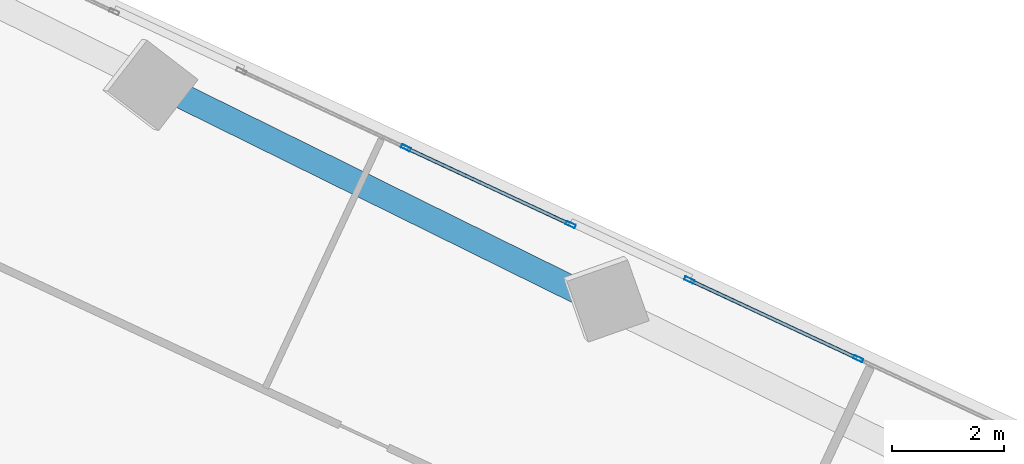
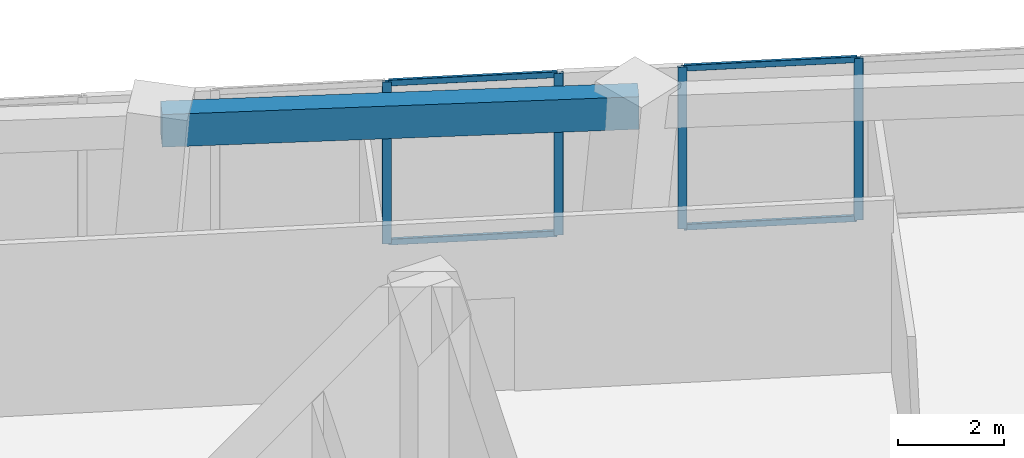
# One storey, part 15 of 23: 8 members, 1 beam, 2 elements without a shape of their own.
"""IFC4 building model written with IfcOpenShell, lengths in metres."""

from ifc_helpers import new_model, si_unit, direction, frame, origin, origin_2d, place, context, subcontext, project, spatial, rectangle, hollow_rectangle, extrude, source, transform, mapped, material, material_profile, profile_set, type_object, element, aggregate, save


model = new_model("IFC4")

# Units and contexts
model_context = context("Model", 3, precision=1e-05, world=origin(), true_north=direction((0.0, 1.0)))
body_context = subcontext(model_context, "Body", "Model", "MODEL_VIEW")
ifc_project = project(units=[si_unit("LENGTHUNIT", "METRE"), si_unit("AREAUNIT", "SQUARE_METRE"), si_unit("VOLUMEUNIT", "CUBIC_METRE"), si_unit("PLANEANGLEUNIT", "RADIAN"), si_unit("MASSUNIT", "GRAM", prefix="KILO")], contexts=[model_context])

# Site, building, storey
site_placement = place(None, origin())
site = spatial("IfcSite", under=ifc_project, at=site_placement, CompositionType="ELEMENT")
building_placement = place(site_placement, origin())
building = spatial("IfcBuilding", under=site, at=building_placement, Name="Torre Montelarca", CompositionType="ELEMENT")
storey_placement = place(building_placement, frame((0.0, 0.0, 158.199951171875)))
storey = spatial("IfcBuildingStorey", under=building, at=storey_placement, Name="L35", CompositionType="ELEMENT", Elevation=158.199951171875)

# Beam
ifc_material_1 = material(Name="Concrete C55/67", Category="concrete")
ifc_material_profile_1 = material_profile(ifc_material_1, rectangle(XDim=0.449951171875, YDim=0.75, at=origin_2d()), Name="RCB450X750", Category="concrete")
ifc_profile_set_1 = profile_set([ifc_material_profile_1], Name="Concrete C55/67")
beam_type = type_object("IfcBeamType", Name="BM-SP-RC750-EXT", PredefinedType="SPANDREL", material=ifc_profile_set_1)
shared_shape_1 = source(origin(), body_context, "Body", "SweptSolid", [
    extrude(rectangle(XDim=0.449951171875, YDim=0.75, at=origin_2d()), origin(), (0.0, 0.0, 1.0), 9.0),
])
beam_placement = place(storey_placement, frame((25.0615234375, 47.135498046875, 3.5849609375), z_axis=(0.896882073005, -0.442269767362, 0.0), x_axis=(0.442269767362, 0.896882073005, 0.0)))
element("IfcBeam", 1, at=beam_placement, inside=storey, type_object=beam_type, Name="L35 Grid Girder X 18.0-27.0 at Y=47.1", PredefinedType="SPANDREL", context=body_context, shape_type="MappedRepresentation", body=[
    mapped(shared_shape_1, transform((0.0, 0.0, 0.0), scale=1.0)),
])

# Curtain wall, members
ifc_material_2 = material(Name="Insulated low-E laminated glass", Category="glass")
curtain_wall_type = type_object("IfcCurtainWallType", Name="CW-SYS-Z2", PredefinedType="USERDEFINED", material=ifc_material_2)
curtain_wall_1_placement = place(storey_placement, origin())
curtain_wall_1 = element("IfcCurtainWall", 2, at=curtain_wall_1_placement, inside=storey, type_object=curtain_wall_type, Name="L35 Curtain Wall Run CW-T3-L35-E08-B2", ObjectType="UNITISED GLAZING", PredefinedType="USERDEFINED")
ifc_material_3 = material(Name="Anodised aluminium AA 6063-T6", Category="aluminium")
ifc_material_profile_2 = material_profile(ifc_material_3, hollow_rectangle(XDim=0.06494140625, YDim=0.179931640625, WallThickness=0.00390625, InnerFilletRadius=0.00390625, OuterFilletRadius=0.008056640625, at=origin_2d()), Name="ALU65X180X4", Category="aluminium")
ifc_profile_set_2 = profile_set([ifc_material_profile_2], Name="Anodised aluminium AA 6063-T6")
member_type_1 = type_object("IfcMemberType", Name="CWM-ALU180", PredefinedType="MULLION", material=ifc_profile_set_2)
shared_shape_2 = source(origin(), body_context, "Body", "SweptSolid", [
    extrude(hollow_rectangle(XDim=0.06494140625, YDim=0.179931640625, WallThickness=0.00390625, InnerFilletRadius=0.00390625, OuterFilletRadius=0.008056640625, at=origin_2d()), origin(), (0.0, 0.0, 1.0), 3.719970703125),
])
member_1_placement = place(storey_placement, frame((37.42919921875, 42.303466796875, 0.0), z_axis=(0.0, 0.0, 1.0), x_axis=(-0.422607871972, -0.906312631793, 0.0)))
member_1 = element("IfcMember", 3, at=member_1_placement, type_object=member_type_1, Name="CW mullion 2", PredefinedType="MULLION", context=body_context, shape_type="MappedRepresentation", body=[
    mapped(shared_shape_2, transform((0.0, 0.0, 0.0), scale=1.0)),
])
member_2_placement = place(storey_placement, frame((34.410888671875, 43.710693359375, 0.0), z_axis=(0.0, 0.0, 1.0), x_axis=(-0.422607871972, -0.906312631793, 0.0)))
member_2 = element("IfcMember", 4, at=member_2_placement, type_object=member_type_1, Name="CW mullion 3", PredefinedType="MULLION", context=body_context, shape_type="MappedRepresentation", body=[
    mapped(shared_shape_2, transform((0.0, 0.0, 0.0), scale=1.0)),
])

curtain_wall_2_placement = place(storey_placement, origin())
curtain_wall_2 = element("IfcCurtainWall", 5, at=curtain_wall_2_placement, inside=storey, type_object=curtain_wall_type, Name="L35 Curtain Wall Run CW-T3-L35-E08-B3", ObjectType="UNITISED GLAZING", PredefinedType="USERDEFINED")
member_3_placement = place(storey_placement, frame((32.29052734375, 44.699462890625, 0.0), z_axis=(0.0, 0.0, 1.0), x_axis=(-0.422615007869, -0.906309304335, 0.0)))
member_3 = element("IfcMember", 6, at=member_3_placement, type_object=member_type_1, Name="CW mullion 1", PredefinedType="MULLION", context=body_context, shape_type="MappedRepresentation", body=[
    mapped(shared_shape_2, transform((0.0, 0.0, 0.0), scale=1.0)),
])
member_4_placement = place(storey_placement, frame((29.347900390625, 46.07177734375, 0.0), z_axis=(0.0, 0.0, 1.0), x_axis=(-0.422615007869, -0.906309304335, 0.0)))
member_4 = element("IfcMember", 7, at=member_4_placement, type_object=member_type_1, Name="CW mullion 2", PredefinedType="MULLION", context=body_context, shape_type="MappedRepresentation", body=[
    mapped(shared_shape_2, transform((0.0, 0.0, 0.0), scale=1.0)),
])

# Member
ifc_material_profile_3 = material_profile(ifc_material_3, hollow_rectangle(XDim=0.06494140625, YDim=0.139892578125, WallThickness=0.00390625, InnerFilletRadius=0.00390625, OuterFilletRadius=0.008056640625, at=origin_2d()), Name="ALU65X140X4", Category="aluminium")
ifc_profile_set_3 = profile_set([ifc_material_profile_3], Name="Anodised aluminium AA 6063-T6")
member_type_2 = type_object("IfcMemberType", Name="CWT-ALU140", PredefinedType="USERDEFINED", material=ifc_profile_set_3)
shared_shape_3 = source(origin(), body_context, "Body", "SweptSolid", [
    extrude(hollow_rectangle(XDim=0.06494140625, YDim=0.139892578125, WallThickness=0.00390625, InnerFilletRadius=0.00390625, OuterFilletRadius=0.008056640625, at=origin_2d()), origin(), (0.0, 0.0, 1.0), 3.26513671875),
])
member_5_placement = place(storey_placement, frame((37.399658203125, 42.317138671875, 0.032470703125), z_axis=(-0.906311084097, 0.4226111911, 0.0), x_axis=(-0.4226111911, -0.906311084097, 0.0)))
member_5 = element("IfcMember", 8, at=member_5_placement, type_object=member_type_2, Name="CW transom 2.1", ObjectType="TRANSOM", PredefinedType="USERDEFINED", context=body_context, shape_type="MappedRepresentation", body=[
    mapped(shared_shape_3, transform((0.0, 0.0, 0.0), scale=1.0)),
])

member_6_placement = place(storey_placement, frame((37.399658203125, 42.317138671875, 3.6875), z_axis=(-0.906311084097, 0.4226111911, 0.0), x_axis=(-0.4226111911, -0.906311084097, 0.0)))
member_6 = element("IfcMember", 9, at=member_6_placement, type_object=member_type_2, Name="CW transom 2.2", ObjectType="TRANSOM", PredefinedType="USERDEFINED", context=body_context, shape_type="MappedRepresentation", body=[
    mapped(shared_shape_3, transform((0.0, 0.0, 0.0), scale=1.0)),
])

aggregate(curtain_wall_1, [member_1, member_2, member_5, member_6])

shared_shape_4 = source(origin(), body_context, "Body", "SweptSolid", [
    extrude(hollow_rectangle(XDim=0.06494140625, YDim=0.139892578125, WallThickness=0.00390625, InnerFilletRadius=0.00390625, OuterFilletRadius=0.008056640625, at=origin_2d()), origin(), (0.0, 0.0, 1.0), 3.181640625),
])
member_7_placement = place(storey_placement, frame((32.260986328125, 44.71337890625, 0.032470703125), z_axis=(-0.906324238223, 0.422582980264, 0.0), x_axis=(-0.422582980264, -0.906324238223, 0.0)))
member_7 = element("IfcMember", 10, at=member_7_placement, type_object=member_type_2, Name="CW transom 1.1", ObjectType="TRANSOM", PredefinedType="USERDEFINED", context=body_context, shape_type="MappedRepresentation", body=[
    mapped(shared_shape_4, transform((0.0, 0.0, 0.0), scale=1.0)),
])

member_8_placement = place(storey_placement, frame((32.260986328125, 44.71337890625, 3.6875), z_axis=(-0.906324238223, 0.422582980264, 0.0), x_axis=(-0.422582980264, -0.906324238223, 0.0)))
member_8 = element("IfcMember", 11, at=member_8_placement, type_object=member_type_2, Name="CW transom 1.2", ObjectType="TRANSOM", PredefinedType="USERDEFINED", context=body_context, shape_type="MappedRepresentation", body=[
    mapped(shared_shape_4, transform((0.0, 0.0, 0.0), scale=1.0)),
])

aggregate(curtain_wall_2, [member_3, member_4, member_7, member_8])

save(model, "model.ifc")
